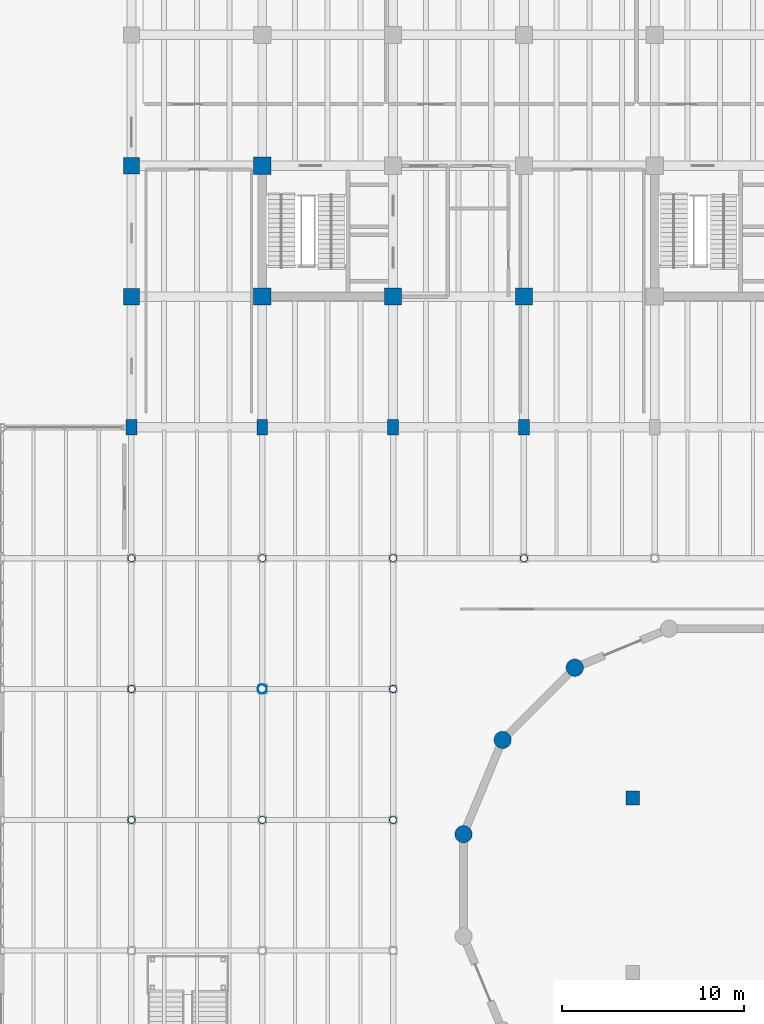
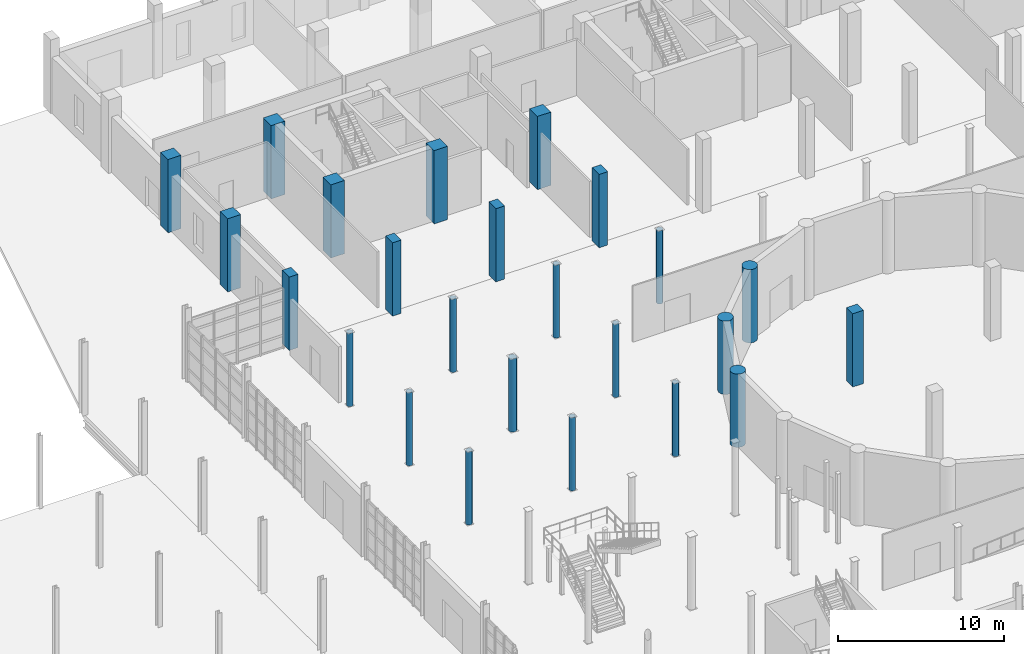
# One storey, part 10 of 79: 24 columns.
"""IFC4 building model written with IfcOpenShell, lengths in metres."""

from ifc_helpers import new_model, si_unit, direction, frame, origin, origin_2d, place, context, subcontext, project, spatial, rectangle, circle, hollow_circle, extrude, material, material_profile, profile_set, type_object, element, save


model = new_model("IFC4")

# Units and contexts
model_context = context("Model", 3, precision=1e-05, world=origin(), true_north=direction((0.0, 1.0)))
body_context = subcontext(model_context, "Body", "Model", "MODEL_VIEW")
ifc_project = project(units=[si_unit("LENGTHUNIT", "METRE"), si_unit("AREAUNIT", "SQUARE_METRE"), si_unit("VOLUMEUNIT", "CUBIC_METRE"), si_unit("PLANEANGLEUNIT", "RADIAN"), si_unit("MASSUNIT", "GRAM", prefix="KILO")], contexts=[model_context])

# Site, building, storey
site_placement = place(None, origin())
site = spatial("IfcSite", under=ifc_project, at=site_placement, CompositionType="ELEMENT")
building_placement = place(site_placement, origin())
building = spatial("IfcBuilding", under=site, at=building_placement, Name="Qiaolan Assembly House", CompositionType="ELEMENT")
storey_placement = place(building_placement, origin())
storey = spatial("IfcBuildingStorey", under=building, at=storey_placement, Name="L00", CompositionType="ELEMENT", Elevation=0.0)

# Columns
ifc_material_1 = material(Name="Concrete C50/60", Category="concrete")
ifc_material_profile_1 = material_profile(ifc_material_1, circle(Radius=0.47509765625, at=origin_2d()), Name="CIRC D950")
ifc_profile_set_1 = profile_set([ifc_material_profile_1], Name="Concrete C50/60")
column_type_1 = type_object("IfcColumnType", Name="COL-DRUM-D950", PredefinedType="COLUMN", material=ifc_profile_set_1)
for number, where, z_axis, x_axis, name in (
    (1, (60.39990234375, 73.173095703125, 0.0), (0.0, 0.0, 1.0), (1.0, 0.0, 0.0), "DC-01 chamber drum pier 6 L00"),
    (2, (56.4267578125, 69.2001953125, 0.0), (0.0, 0.0, 1.0), (1.0, 0.0, 0.0), "DC-01 chamber drum pier 7 L00"),
    (3, (54.276611328125, 64.00927734375, 0.0), (0.0, 0.0, 1.0), (1.0, 0.0, 0.0), "DC-01 chamber drum pier 8 L00"),
):
    element("IfcColumn", number, at=place(storey_placement, frame(where, z_axis=z_axis, x_axis=x_axis)), inside=storey, type_object=column_type_1, Name=name, PredefinedType="COLUMN", context=body_context, shape_type="SweptSolid", body=[
        extrude(circle(Radius=0.47509765625, at=origin_2d()), origin(), (0.0, 0.0, 1.0), 5.39990234375),
    ])
ifc_material_2 = material(Name="Concrete C45/55", Category="concrete")
ifc_material_profile_2 = material_profile(ifc_material_2, rectangle(XDim=0.75, YDim=0.75, at=origin_2d()), Name="RC 750x750")
ifc_profile_set_2 = profile_set([ifc_material_profile_2], Name="Concrete C45/55")
column_type_2 = type_object("IfcColumnType", Name="COL-RC-750", PredefinedType="COLUMN", material=ifc_profile_set_2)
column_1_placement = place(storey_placement, frame((63.60009765625, 66.0, 0.0), z_axis=(0.0, 0.0, 1.0), x_axis=(1.0, 0.0, 0.0)))
element("IfcColumn", 4, at=column_1_placement, inside=storey, type_object=column_type_2, Name="RC-06 chamber undercroft column 4 L00", PredefinedType="COLUMN", context=body_context, shape_type="SweptSolid", body=[
    extrude(rectangle(XDim=0.75, YDim=0.75, at=origin_2d()), origin(), (0.0, 0.0, 1.0), 5.39990234375),
])
ifc_material_profile_3 = material_profile(ifc_material_1, rectangle(XDim=0.60009765625, YDim=0.85009765625, at=origin_2d()), Name="RC 850x600")
ifc_profile_set_3 = profile_set([ifc_material_profile_3], Name="Concrete C50/60")
column_type_3 = type_object("IfcColumnType", Name="COL-RC-850x600", PredefinedType="COLUMN", material=ifc_profile_set_3)
for number, where, z_axis, x_axis, name in (
    (5, (36.0, 86.39990234375, 0.0), (0.0, 0.0, 1.0), (1.0, 0.0, 0.0), "RC-13 column NW L00"),
    (6, (43.199951171875, 86.39990234375, 0.0), (0.0, 0.0, 1.0), (1.0, 0.0, 0.0), "RC-13 column NW L00"),
    (7, (50.39990234375, 86.39990234375, 0.0), (0.0, 0.0, 1.0), (1.0, 0.0, 0.0), "RC-13 column NW L00"),
    (8, (57.60009765625, 86.39990234375, 0.0), (0.0, 0.0, 1.0), (1.0, 0.0, 0.0), "RC-13 column NW L00"),
):
    element("IfcColumn", number, at=place(storey_placement, frame(where, z_axis=z_axis, x_axis=x_axis)), inside=storey, type_object=column_type_3, Name=name, PredefinedType="COLUMN", context=body_context, shape_type="SweptSolid", body=[
        extrude(rectangle(XDim=0.60009765625, YDim=0.85009765625, at=origin_2d()), origin(), (0.0, 0.0, 1.0), 5.39990234375),
    ])
ifc_material_profile_4 = material_profile(ifc_material_1, rectangle(XDim=0.89990234375, YDim=0.89990234375, at=origin_2d()), Name="RC 900x900")
ifc_profile_set_4 = profile_set([ifc_material_profile_4], Name="Concrete C50/60")
column_type_4 = type_object("IfcColumnType", Name="COL-RC-900", PredefinedType="COLUMN", material=ifc_profile_set_4)
for number, where, z_axis, x_axis, name in (
    (9, (36.0, 93.60009765625, 0.0), (0.0, 0.0, 1.0), (1.0, 0.0, 0.0), "RC-03 column NW L00"),
    (10, (36.0, 100.800048828125, 0.0), (0.0, 0.0, 1.0), (1.0, 0.0, 0.0), "RC-03 column NW L00"),
):
    element("IfcColumn", number, at=place(storey_placement, frame(where, z_axis=z_axis, x_axis=x_axis)), inside=storey, type_object=column_type_4, Name=name, PredefinedType="COLUMN", context=body_context, shape_type="SweptSolid", body=[
        extrude(rectangle(XDim=0.89990234375, YDim=0.89990234375, at=origin_2d()), origin(), (0.0, 0.0, 1.0), 5.39990234375),
    ])
ifc_material_profile_5 = material_profile(ifc_material_1, rectangle(XDim=0.949951171875, YDim=0.949951171875, at=origin_2d()), Name="RC 950x950")
ifc_profile_set_5 = profile_set([ifc_material_profile_5], Name="Concrete C50/60")
column_type_5 = type_object("IfcColumnType", Name="COL-RC-950", PredefinedType="COLUMN", material=ifc_profile_set_5)
for number, where, z_axis, x_axis, name in (
    (11, (43.199951171875, 93.60009765625, 0.0), (0.0, 0.0, 1.0), (1.0, 0.0, 0.0), "RC-02 column NW L00"),
    (12, (43.199951171875, 100.800048828125, 0.0), (0.0, 0.0, 1.0), (1.0, 0.0, 0.0), "RC-02 column NW L00"),
    (13, (50.39990234375, 93.60009765625, 0.0), (0.0, 0.0, 1.0), (1.0, 0.0, 0.0), "RC-02 column NW L00"),
    (14, (57.60009765625, 93.60009765625, 0.0), (0.0, 0.0, 1.0), (1.0, 0.0, 0.0), "RC-02 column NW L00"),
):
    element("IfcColumn", number, at=place(storey_placement, frame(where, z_axis=z_axis, x_axis=x_axis)), inside=storey, type_object=column_type_5, Name=name, PredefinedType="COLUMN", context=body_context, shape_type="SweptSolid", body=[
        extrude(rectangle(XDim=0.949951171875, YDim=0.949951171875, at=origin_2d()), origin(), (0.0, 0.0, 1.0), 5.39990234375),
    ])
ifc_material_3 = material(Name="Steel Q355B", Category="steel")
ifc_material_profile_6 = material_profile(ifc_material_3, hollow_circle(Radius=0.203125, WallThickness=0.013916015625, at=origin_2d()), Name="CHS 406.4x14")
ifc_profile_set_6 = profile_set([ifc_material_profile_6], Name="Steel Q355B")
column_type_6 = type_object("IfcColumnType", Name="COL-STL-CHS406", PredefinedType="COLUMN", material=ifc_profile_set_6)
for number, where, z_axis, x_axis, name in (
    (15, (36.0, 64.800048828125, 0.0), (0.0, 0.0, 1.0), (1.0, 0.0, 0.0), "SC-06 hall column L00"),
    (16, (36.0, 72.0, 0.0), (0.0, 0.0, 1.0), (1.0, 0.0, 0.0), "SC-06 hall column L00"),
    (17, (36.0, 79.199951171875, 0.0), (0.0, 0.0, 1.0), (1.0, 0.0, 0.0), "SC-06 hall column L00"),
    (18, (43.199951171875, 64.800048828125, 0.0), (0.0, 0.0, 1.0), (1.0, 0.0, 0.0), "SC-06 hall column L00"),
    (19, (43.199951171875, 79.199951171875, 0.0), (0.0, 0.0, 1.0), (1.0, 0.0, 0.0), "SC-06 hall column L00"),
    (20, (50.39990234375, 64.800048828125, 0.0), (0.0, 0.0, 1.0), (1.0, 0.0, 0.0), "SC-06 hall column L00"),
    (21, (50.39990234375, 72.0, 0.0), (0.0, 0.0, 1.0), (1.0, 0.0, 0.0), "SC-06 hall column L00"),
    (22, (50.39990234375, 79.199951171875, 0.0), (0.0, 0.0, 1.0), (1.0, 0.0, 0.0), "SC-06 hall column L00"),
    (23, (57.60009765625, 79.199951171875, 0.0), (0.0, 0.0, 1.0), (1.0, 0.0, 0.0), "SC-06 hall column L00"),
):
    element("IfcColumn", number, at=place(storey_placement, frame(where, z_axis=z_axis, x_axis=x_axis)), inside=storey, type_object=column_type_6, Name=name, PredefinedType="COLUMN", context=body_context, shape_type="SweptSolid", body=[
        extrude(hollow_circle(Radius=0.203125, WallThickness=0.013916015625, at=origin_2d()), origin(), (0.0, 0.0, 1.0), 5.39990234375),
    ])
ifc_material_profile_7 = material_profile(ifc_material_3, hollow_circle(Radius=0.25390625, WallThickness=0.01611328125, at=origin_2d()), Name="CHS 508x16")
ifc_profile_set_7 = profile_set([ifc_material_profile_7], Name="Steel Q355B")
column_type_7 = type_object("IfcColumnType", Name="COL-STL-CHS508", PredefinedType="COLUMN", material=ifc_profile_set_7)
column_2_placement = place(storey_placement, frame((43.199951171875, 72.0, 0.0), z_axis=(0.0, 0.0, 1.0), x_axis=(1.0, 0.0, 0.0)))
element("IfcColumn", 24, at=column_2_placement, inside=storey, type_object=column_type_7, Name="SC-07 hall column L00", PredefinedType="COLUMN", context=body_context, shape_type="SweptSolid", body=[
    extrude(hollow_circle(Radius=0.25390625, WallThickness=0.01611328125, at=origin_2d()), origin(), (0.0, 0.0, 1.0), 5.39990234375),
])

save(model, "model.ifc")
